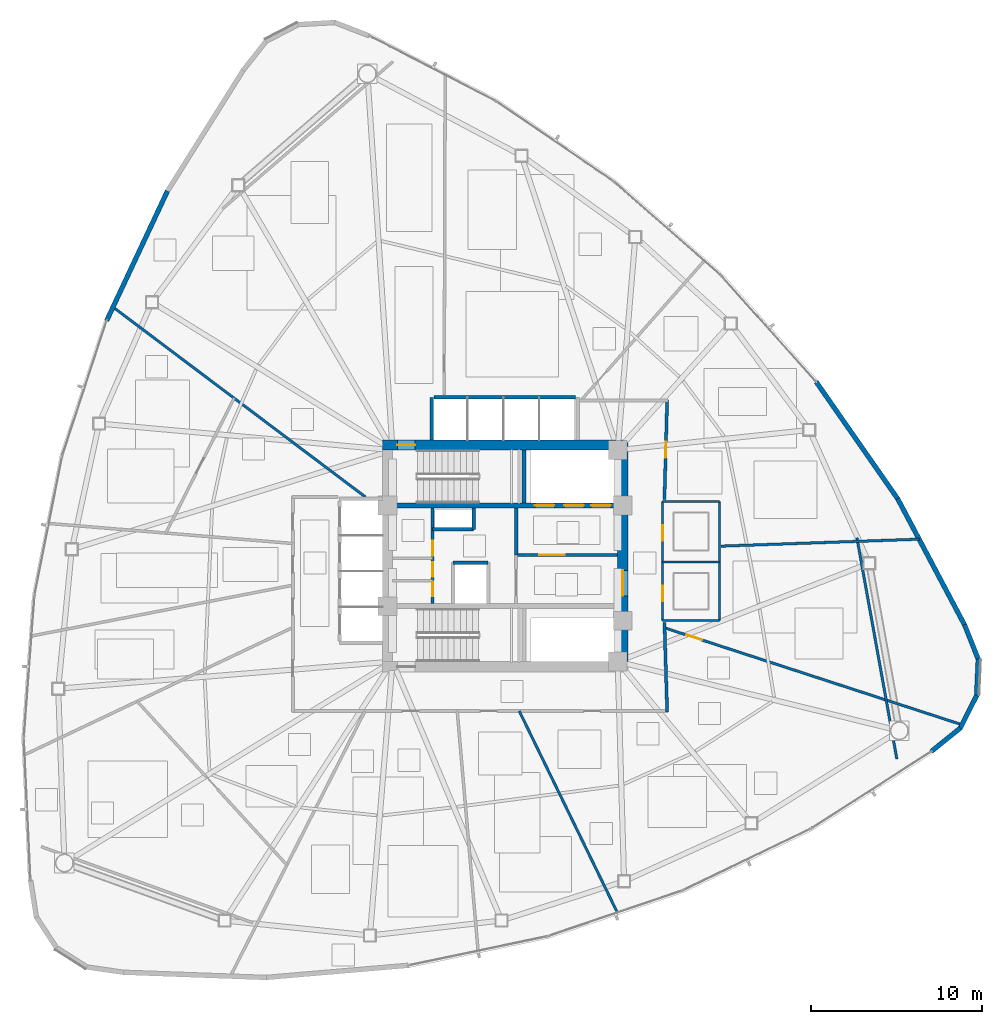
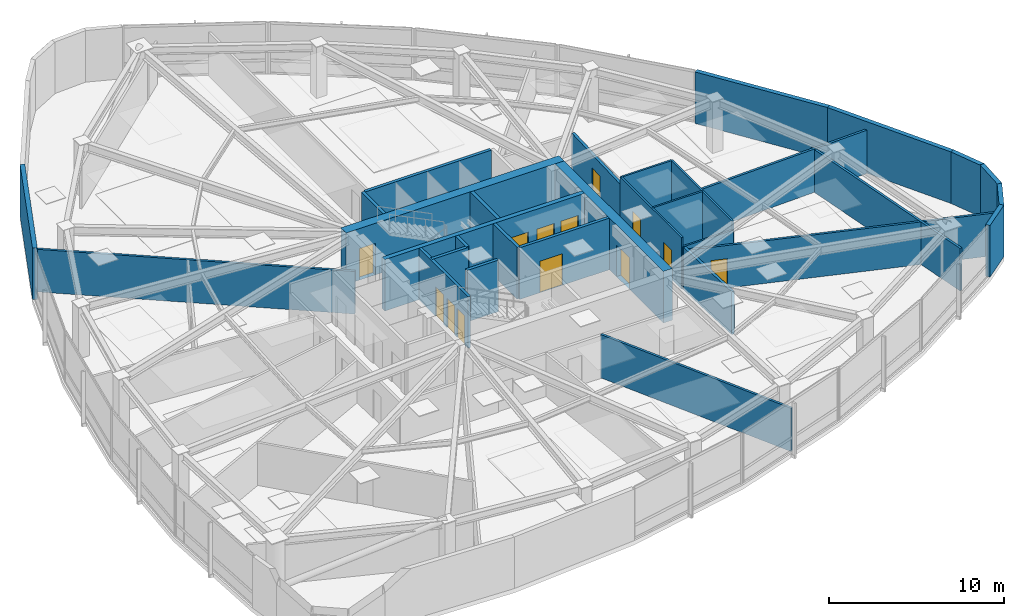
# One storey, part 12 of 17: 31 walls, 13 doors, 13 openings.
"""IFC4 building model written with IfcOpenShell, lengths in metres."""

from ifc_helpers import new_model, si_unit, direction, frame, frame_2d, origin, place, context, subcontext, project, spatial, rectangle, extrude, material, layer, layer_set, type_object, element, fill, save


model = new_model("IFC4")

# Units and contexts
model_context = context("Model", 3, precision=1e-05, world=origin(), true_north=direction((0.0, 1.0)))
body_context = subcontext(model_context, "Body", "Model", "MODEL_VIEW")
ifc_project = project(units=[si_unit("LENGTHUNIT", "METRE"), si_unit("AREAUNIT", "SQUARE_METRE"), si_unit("VOLUMEUNIT", "CUBIC_METRE"), si_unit("PLANEANGLEUNIT", "RADIAN"), si_unit("MASSUNIT", "GRAM", prefix="KILO")], contexts=[model_context])

# Site, building, storey
site_placement = place(None, origin())
site = spatial("IfcSite", under=ifc_project, at=site_placement, CompositionType="ELEMENT")
building_placement = place(site_placement, origin())
building = spatial("IfcBuilding", under=site, at=building_placement, Name="Tavelor Broadcast Tower", CompositionType="ELEMENT")
storey_placement = place(building_placement, frame((0.0, 0.0, 90.0)))
storey = spatial("IfcBuildingStorey", under=building, at=storey_placement, Name="L21", CompositionType="ELEMENT", Elevation=90.0)

# Wall, opening, door
ifc_material_1 = material(Name="Concrete C60/75", Category="concrete")
ifc_layer_1 = layer(ifc_material_1, 0.60009765625)
ifc_layer_set_1 = layer_set([ifc_layer_1], Name="Concrete C60/75")
wall_type_1 = type_object("IfcWallType", Name="Core Shear Wall 600 mm", PredefinedType="SHEAR", material=ifc_layer_set_1)
wall_1_placement = place(storey_placement, frame((42.800048828125, 51.5, 0.0), z_axis=(0.0, 0.0, 1.0), x_axis=(1.0, 0.0, 0.0)))
wall_1 = element("IfcWall", 1, at=wall_1_placement, inside=storey, type_object=wall_type_1, Name="L21 Central Core Shear Wall N", PredefinedType="SHEAR", context=body_context, shape_type="SweptSolid", body=[
    extrude(rectangle(XDim=14.39990234375, YDim=0.60009765625, at=frame_2d((7.199951171875, 0.0))), origin(), (0.0, 0.0, 1.0), 3.60009765625),
])
opening_1_placement = place(wall_1_placement, frame((0.8798828125, 0.0, 0.0)))
opening_1 = element("IfcOpeningElement", 2, at=opening_1_placement, cuts=wall_1, Name="Opening DR11", PredefinedType="OPENING", context=body_context, shape_type="SweptSolid", body=[
    extrude(rectangle(XDim=1.050048828125, YDim=2.199951171875, at=frame_2d((0.52490234375, 1.10009765625))), frame((0.0, 0.31005859375, 0.0), z_axis=(0.0, -1.0, 0.0), x_axis=(1.0, 0.0, 0.0)), (0.0, 0.0, 1.0), 0.6201171875),
])
ifc_material_2 = material(Name="Steel S355", Category="steel")
door_type_1 = type_object("IfcDoorType", Name="Stair Core Fire Escape Door 1050x2200", OperationType="NOTDEFINED", PredefinedType="DOOR", material=ifc_material_2)
door_1_placement = place(opening_1_placement, origin())
door_1 = element("IfcDoor", 3, at=door_1_placement, inside=storey, type_object=door_type_1, Name="L21 Stair ST1 Protected Exit Door", OperationType="SINGLE_SWING_LEFT", OverallHeight=2.199951171875, OverallWidth=1.050048828125, PredefinedType="DOOR", context=body_context, shape_type="SweptSolid", body=[
    extrude(rectangle(XDim=1.050048828125, YDim=2.199951171875, at=frame_2d((0.52490234375, 1.10009765625))), frame((0.0, 0.02490234375, 0.0), z_axis=(0.0, -1.0, 0.0), x_axis=(1.0, 0.0, 0.0)), (0.0, 0.0, 1.0), 0.050048828125),
])
fill(opening_1, door_1)

wall_2_placement = place(storey_placement, frame((56.89990234375, 38.800048828125, 0.0), z_axis=(0.0, 0.0, 1.0), x_axis=(0.0, 1.0, 0.0)))
wall_2 = element("IfcWall", 4, at=wall_2_placement, inside=storey, type_object=wall_type_1, Name="L21 Central Core Shear Wall E", PredefinedType="SHEAR", context=body_context, shape_type="SweptSolid", body=[
    extrude(rectangle(XDim=12.39990234375, YDim=0.60009765625, at=frame_2d((6.199951171875, 0.0))), origin(), (0.0, 0.0, 1.0), 3.60009765625),
])
opening_2_placement = place(wall_2_placement, frame((3.85009765625, 0.0, 0.0)))
opening_2 = element("IfcOpeningElement", 5, at=opening_2_placement, cuts=wall_2, Name="Opening DR14", PredefinedType="OPENING", context=body_context, shape_type="SweptSolid", body=[
    extrude(rectangle(XDim=1.5, YDim=2.199951171875, at=frame_2d((0.75, 1.10009765625))), frame((0.0, 0.31005859375, 0.0), z_axis=(0.0, -1.0, 0.0), x_axis=(1.0, 0.0, 0.0)), (0.0, 0.0, 1.0), 0.6201171875),
])
door_type_2 = type_object("IfcDoorType", Name="Firefighting Lobby Double Fire Door 1500x2200", OperationType="NOTDEFINED", PredefinedType="DOOR", material=ifc_material_2)
door_2_placement = place(opening_2_placement, origin())
door_2 = element("IfcDoor", 6, at=door_2_placement, inside=storey, type_object=door_type_2, Name="L21 Central Core Lobby Fire Door", OperationType="SINGLE_SWING_LEFT", OverallHeight=2.199951171875, OverallWidth=1.5, PredefinedType="DOOR", context=body_context, shape_type="SweptSolid", body=[
    extrude(rectangle(XDim=1.5, YDim=2.199951171875, at=frame_2d((0.75, 1.10009765625))), frame((0.0, 0.02490234375, 0.0), z_axis=(0.0, -1.0, 0.0), x_axis=(1.0, 0.0, 0.0)), (0.0, 0.0, 1.0), 0.050048828125),
])
fill(opening_2, door_2)

# Wall, openings, doors
ifc_layer_2 = layer(ifc_material_1, 0.300048828125)
ifc_layer_set_2 = layer_set([ifc_layer_2], Name="Concrete C60/75")
wall_type_2 = type_object("IfcWallType", Name="Core Spine Shear Wall 300 mm C60", PredefinedType="SHEAR", material=ifc_layer_set_2)
wall_3_placement = place(storey_placement, frame((43.39990234375, 47.949951171875, 0.0), z_axis=(0.0, 0.0, 1.0), x_axis=(1.0, 0.0, 0.0)))
wall_3 = element("IfcWall", 7, at=wall_3_placement, inside=storey, type_object=wall_type_2, Name="L21 Central Core Shear Wall SP1", PredefinedType="SHEAR", context=body_context, shape_type="SweptSolid", body=[
    extrude(rectangle(XDim=13.2001953125, YDim=0.300048828125, at=frame_2d((6.60009765625, 0.0))), origin(), (0.0, 0.0, 1.0), 3.60009765625),
])
opening_3_placement = place(wall_3_placement, frame((8.344970703125, 0.0, 0.0)))
opening_3 = element("IfcOpeningElement", 8, at=opening_3_placement, cuts=wall_3, Name="Opening LD02", PredefinedType="OPENING", context=body_context, shape_type="SweptSolid", body=[
    extrude(rectangle(XDim=1.14990234375, YDim=2.199951171875, at=frame_2d((0.574951171875, 1.10009765625))), frame((0.0, 0.16015625, 0.0), z_axis=(0.0, -1.0, 0.0), x_axis=(1.0, 0.0, 0.0)), (0.0, 0.0, 1.0), 0.320068359375),
])
opening_4_placement = place(wall_3_placement, frame((10.06494140625, 0.0, 0.0)))
opening_4 = element("IfcOpeningElement", 9, at=opening_4_placement, cuts=wall_3, Name="Opening LD02", PredefinedType="OPENING", context=body_context, shape_type="SweptSolid", body=[
    extrude(rectangle(XDim=1.14990234375, YDim=2.199951171875, at=frame_2d((0.574951171875, 1.10009765625))), frame((0.0, 0.16015625, 0.0), z_axis=(0.0, -1.0, 0.0), x_axis=(1.0, 0.0, 0.0)), (0.0, 0.0, 1.0), 0.320068359375),
])
opening_5_placement = place(wall_3_placement, frame((11.64501953125, 0.0, 0.0)))
opening_5 = element("IfcOpeningElement", 10, at=opening_5_placement, cuts=wall_3, Name="Opening LD03", PredefinedType="OPENING", context=body_context, shape_type="SweptSolid", body=[
    extrude(rectangle(XDim=1.14990234375, YDim=2.199951171875, at=frame_2d((0.574951171875, 1.10009765625))), frame((0.0, 0.16015625, 0.0), z_axis=(0.0, -1.0, 0.0), x_axis=(1.0, 0.0, 0.0)), (0.0, 0.0, 1.0), 0.320068359375),
])
ifc_material_3 = material(Name="Reinforced Brushed Stainless Steel", Category="concrete")
door_type_3 = type_object("IfcDoorType", Name="Broadcast Goods Lift Sliding Landing Door 1250x2200", OperationType="NOTDEFINED", PredefinedType="DOOR", material=ifc_material_3)
door_3_placement = place(opening_5_placement, origin())
door_3 = element("IfcDoor", 11, at=door_3_placement, inside=storey, type_object=door_type_3, Name="L21 Lift SVL1 Sliding Landing Door", OperationType="SLIDING_TO_LEFT", OverallHeight=2.199951171875, OverallWidth=1.14990234375, PredefinedType="DOOR", context=body_context, shape_type="SweptSolid", body=[
    extrude(rectangle(XDim=1.14990234375, YDim=2.199951171875, at=frame_2d((0.574951171875, 1.10009765625))), frame((0.0, 0.02490234375, 0.0), z_axis=(0.0, -1.0, 0.0), x_axis=(1.0, 0.0, 0.0)), (0.0, 0.0, 1.0), 0.050048828125),
])
fill(opening_5, door_3)
ifc_material_4 = material(Name="Fire-Rated Stainless Steel", Category="steel")
door_type_4 = type_object("IfcDoorType", Name="Firefighting Lift Sliding Landing Door 1200x2200", OperationType="NOTDEFINED", PredefinedType="DOOR", material=ifc_material_4)
door_4_placement = place(opening_3_placement, origin())
door_4 = element("IfcDoor", 12, at=door_4_placement, inside=storey, type_object=door_type_4, Name="L21 Lift FFL1 Sliding Landing Door", OperationType="SLIDING_TO_LEFT", OverallHeight=2.199951171875, OverallWidth=1.14990234375, PredefinedType="DOOR", context=body_context, shape_type="SweptSolid", body=[
    extrude(rectangle(XDim=1.14990234375, YDim=2.199951171875, at=frame_2d((0.574951171875, 1.10009765625))), frame((0.0, 0.02490234375, 0.0), z_axis=(0.0, -1.0, 0.0), x_axis=(1.0, 0.0, 0.0)), (0.0, 0.0, 1.0), 0.050048828125),
])
fill(opening_3, door_4)
door_5_placement = place(opening_4_placement, origin())
door_5 = element("IfcDoor", 13, at=door_5_placement, inside=storey, type_object=door_type_4, Name="L21 Lift FFL2 Sliding Landing Door", OperationType="SLIDING_TO_LEFT", OverallHeight=2.199951171875, OverallWidth=1.14990234375, PredefinedType="DOOR", context=body_context, shape_type="SweptSolid", body=[
    extrude(rectangle(XDim=1.14990234375, YDim=2.199951171875, at=frame_2d((0.574951171875, 1.10009765625))), frame((0.0, 0.02490234375, 0.0), z_axis=(0.0, -1.0, 0.0), x_axis=(1.0, 0.0, 0.0)), (0.0, 0.0, 1.0), 0.050048828125),
])
fill(opening_4, door_5)

ifc_material_5 = material(Name="Calcium Silicate Fire Board 180 mm", Category="gypsum")
ifc_layer_3 = layer(ifc_material_5, 0.179931640625)
ifc_layer_set_3 = layer_set([ifc_layer_3], Name="Calcium Silicate Fire Board 180 mm")
wall_type_3 = type_object("IfcWallType", Name="Fire-Rated Corridor Partition Wall 180 mm", PredefinedType="PARTITIONING", material=ifc_layer_set_3)
wall_4_placement = place(storey_placement, frame((45.75, 42.199951171875, 0.0), z_axis=(0.0, 0.0, 1.0), x_axis=(0.0, 1.0, 0.0)))
wall_4 = element("IfcWall", 14, at=wall_4_placement, inside=storey, type_object=wall_type_3, Name="L21 Core West Service East Wall", PredefinedType="PARTITIONING", context=body_context, shape_type="SweptSolid", body=[
    extrude(rectangle(XDim=5.60009765625, YDim=0.179931640625, at=frame_2d((2.800048828125, 0.0))), origin(), (0.0, 0.0, 1.0), 3.60009765625),
])
opening_6_placement = place(wall_4_placement, frame((0.419921875, 0.0, 0.0)))
opening_6 = element("IfcOpeningElement", 15, at=opening_6_placement, cuts=wall_4, Name="Opening DR36", PredefinedType="OPENING", context=body_context, shape_type="SweptSolid", body=[
    extrude(rectangle(XDim=0.85009765625, YDim=2.050048828125, at=frame_2d((0.425048828125, 1.02490234375))), frame((0.0, 0.10009765625, 0.0), z_axis=(0.0, -1.0, 0.0), x_axis=(1.0, 0.0, 0.0)), (0.0, 0.0, 1.0), 0.199951171875),
])
opening_7_placement = place(wall_4_placement, frame((1.570068359375, 0.0, 0.0)))
opening_7 = element("IfcOpeningElement", 16, at=opening_7_placement, cuts=wall_4, Name="Opening DR36", PredefinedType="OPENING", context=body_context, shape_type="SweptSolid", body=[
    extrude(rectangle(XDim=0.85009765625, YDim=2.050048828125, at=frame_2d((0.425048828125, 1.02490234375))), frame((0.0, 0.10009765625, 0.0), z_axis=(0.0, -1.0, 0.0), x_axis=(1.0, 0.0, 0.0)), (0.0, 0.0, 1.0), 0.199951171875),
])
opening_8_placement = place(wall_4_placement, frame((2.800048828125, 0.0, 0.0)))
opening_8 = element("IfcOpeningElement", 17, at=opening_8_placement, cuts=wall_4, Name="Opening DR32", PredefinedType="OPENING", context=body_context, shape_type="SweptSolid", body=[
    extrude(rectangle(XDim=0.89990234375, YDim=2.050048828125, at=frame_2d((0.449951171875, 1.02490234375))), frame((0.0, 0.10009765625, 0.0), z_axis=(0.0, -1.0, 0.0), x_axis=(1.0, 0.0, 0.0)), (0.0, 0.0, 1.0), 0.199951171875),
])
ifc_material_6 = material(Name="Timber Solid Core Hardwood", Category="wood")
door_type_5 = type_object("IfcDoorType", Name="Accessible Washroom Door 900x2050", OperationType="NOTDEFINED", PredefinedType="DOOR", material=ifc_material_6)
door_6_placement = place(opening_8_placement, origin())
door_6 = element("IfcDoor", 18, at=door_6_placement, inside=storey, type_object=door_type_5, Name="L21 Core Accessible WC Door", OperationType="SINGLE_SWING_LEFT", OverallHeight=2.050048828125, OverallWidth=0.89990234375, PredefinedType="DOOR", context=body_context, shape_type="SweptSolid", body=[
    extrude(rectangle(XDim=0.89990234375, YDim=2.050048828125, at=frame_2d((0.449951171875, 1.02490234375))), frame((0.0, 0.02490234375, 0.0), z_axis=(0.0, -1.0, 0.0), x_axis=(1.0, 0.0, 0.0)), (0.0, 0.0, 1.0), 0.050048828125),
])
fill(opening_8, door_6)
door_type_6 = type_object("IfcDoorType", Name="Service Room Fire Door 850x2050", OperationType="NOTDEFINED", PredefinedType="DOOR", material=ifc_material_2)
door_7_placement = place(opening_6_placement, origin())
door_7 = element("IfcDoor", 19, at=door_7_placement, inside=storey, type_object=door_type_6, Name="L21 Core Medical Room Door", OperationType="SINGLE_SWING_LEFT", OverallHeight=2.050048828125, OverallWidth=0.85009765625, PredefinedType="DOOR", context=body_context, shape_type="SweptSolid", body=[
    extrude(rectangle(XDim=0.85009765625, YDim=2.050048828125, at=frame_2d((0.425048828125, 1.02490234375))), frame((0.0, 0.02490234375, 0.0), z_axis=(0.0, -1.0, 0.0), x_axis=(1.0, 0.0, 0.0)), (0.0, 0.0, 1.0), 0.050048828125),
])
fill(opening_6, door_7)
door_8_placement = place(opening_7_placement, origin())
door_8 = element("IfcDoor", 20, at=door_8_placement, inside=storey, type_object=door_type_6, Name="L21 Core Copy Room Door", OperationType="SINGLE_SWING_RIGHT", OverallHeight=2.050048828125, OverallWidth=0.85009765625, PredefinedType="DOOR", context=body_context, shape_type="SweptSolid", body=[
    extrude(rectangle(XDim=0.85009765625, YDim=2.050048828125, at=frame_2d((0.425048828125, 1.02490234375))), frame((0.0, 0.02490234375, 0.0), z_axis=(0.0, -1.0, 0.0), x_axis=(1.0, 0.0, 0.0)), (0.0, 0.0, 1.0), 0.050048828125),
])
fill(opening_7, door_8)

# Wall, opening, door
wall_5_placement = place(storey_placement, frame((59.50146484375, 54.14990234375, 0.0), z_axis=(0.0, 0.0, 1.0), x_axis=(-0.027367567602, -0.999625437973, 0.0)))
wall_5 = element("IfcWall", 21, at=wall_5_placement, inside=storey, type_object=wall_type_3, Name="L21 Corridor Compartment Wall 02", PredefinedType="PARTITIONING", context=body_context, shape_type="SweptSolid", body=[
    extrude(rectangle(XDim=5.85205078125, YDim=0.179931640625, at=frame_2d((2.926025390625, 0.0))), origin(), (0.0, 0.0, 1.0), 2.97509765625),
])
opening_9_placement = place(wall_5_placement, frame((2.451171875, 0.0, 0.0)))
opening_9 = element("IfcOpeningElement", 22, at=opening_9_placement, cuts=wall_5, Name="Opening DR18", PredefinedType="OPENING", context=body_context, shape_type="SweptSolid", body=[
    extrude(rectangle(XDim=0.949951171875, YDim=2.050048828125, at=frame_2d((0.47509765625, 1.02490234375))), frame((0.0, 0.10009765625, 0.0), z_axis=(0.0, -1.0, 0.0), x_axis=(1.0, 0.0, 0.0)), (0.0, 0.0, 1.0), 0.199951171875),
])
door_type_7 = type_object("IfcDoorType", Name="Corridor Rated Compartment Door 950x2050", OperationType="NOTDEFINED", PredefinedType="DOOR", material=ifc_material_6)
door_9_placement = place(opening_9_placement, origin())
door_9 = element("IfcDoor", 23, at=door_9_placement, inside=storey, type_object=door_type_7, Name="L21 International Bureau Office Door R9", OperationType="SINGLE_SWING_RIGHT", OverallHeight=2.050048828125, OverallWidth=0.949951171875, PredefinedType="DOOR", context=body_context, shape_type="SweptSolid", body=[
    extrude(rectangle(XDim=0.949951171875, YDim=2.050048828125, at=frame_2d((0.47509765625, 1.02490234375))), frame((0.0, 0.02490234375, 0.0), z_axis=(0.0, -1.0, 0.0), x_axis=(1.0, 0.0, 0.0)), (0.0, 0.0, 1.0), 0.050048828125),
])
fill(opening_9, door_9)

# Walls
wall_6_placement = place(storey_placement, frame((59.341552734375, 41.10009765625, 0.0), z_axis=(0.0, 0.0, 1.0), x_axis=(0.030445329425, -0.999536433511, 0.0)))
element("IfcWall", 24, at=wall_6_placement, inside=storey, type_object=wall_type_3, Name="L21 Corridor Compartment Wall 03", PredefinedType="PARTITIONING", context=body_context, shape_type="SweptSolid", body=[
    extrude(rectangle(XDim=5.25244140625, YDim=0.179931640625, at=frame_2d((2.626220703125, 0.0))), origin(), (0.0, 0.0, 1.0), 2.97509765625),
])
ifc_material_7 = material(Name="Precast Concrete C40/50", Category="concrete")
ifc_layer_4 = layer(ifc_material_7, 0.280029296875)
ifc_layer_set_4 = layer_set([ifc_layer_4], Name="Precast Concrete C40/50")
wall_type_4 = type_object("IfcWallType", Name="Insulated Precast Terracotta Facade Wall 280 mm", PredefinedType="STANDARD", material=ifc_layer_set_4)
wall_7_placement = place(storey_placement, frame((30.198974609375, 66.400634765625, 0.0), z_axis=(0.0, 0.0, 1.0), x_axis=(-0.424600265848, -0.905380922177, 0.0)))
element("IfcWall", 25, at=wall_7_placement, inside=storey, type_object=wall_type_4, Name="L21 Rounded Corner Structural Cladding Pier 06", PredefinedType="STANDARD", context=body_context, shape_type="SweptSolid", body=[
    extrude(rectangle(XDim=8.3828125, YDim=0.280029296875, at=frame_2d((4.19140625, 0.0))), origin(), (0.0, 0.0, 1.0), 3.60009765625),
])
wall_8_placement = place(storey_placement, frame((74.993408203125, 33.53125, 0.0), z_axis=(0.0, 0.0, 1.0), x_axis=(0.778802470477, 0.627269249987, 0.0)))
element("IfcWall", 26, at=wall_8_placement, inside=storey, type_object=wall_type_4, Name="L21 Rounded Corner Structural Cladding Pier 21", PredefinedType="STANDARD", context=body_context, shape_type="SweptSolid", body=[
    extrude(rectangle(XDim=2.18310546875, YDim=0.280029296875, at=frame_2d((1.091552734375, 0.0))), origin(), (0.0, 0.0, 1.0), 3.60009765625),
])
wall_9_placement = place(storey_placement, frame((76.67529296875, 34.877685546875, 0.0), z_axis=(0.0, 0.0, 1.0), x_axis=(0.451615266142, 0.892212783694, 0.0)))
element("IfcWall", 27, at=wall_9_placement, inside=storey, type_object=wall_type_4, Name="L21 Rounded Corner Structural Cladding Pier 22", PredefinedType="STANDARD", context=body_context, shape_type="SweptSolid", body=[
    extrude(rectangle(XDim=2.171630859375, YDim=0.280029296875, at=frame_2d((1.0859375, 0.0))), origin(), (0.0, 0.0, 1.0), 3.60009765625),
])
wall_10_placement = place(storey_placement, frame((77.648681640625, 36.787109375, 0.0), z_axis=(0.0, 0.0, 1.0), x_axis=(0.044525297674, 0.999008257157, 0.0)))
element("IfcWall", 28, at=wall_10_placement, inside=storey, type_object=wall_type_4, Name="L21 Rounded Corner Structural Cladding Pier 23", PredefinedType="STANDARD", context=body_context, shape_type="SweptSolid", body=[
    extrude(rectangle(XDim=2.17138671875, YDim=0.280029296875, at=frame_2d((1.085693359375, 0.0))), origin(), (0.0, 0.0, 1.0), 3.60009765625),
])
wall_11_placement = place(storey_placement, frame((77.750244140625, 38.927490234375, 0.0), z_axis=(0.0, 0.0, 1.0), x_axis=(-0.370642356931, 0.928775668958, 0.0)))
element("IfcWall", 29, at=wall_11_placement, inside=storey, type_object=wall_type_4, Name="L21 Rounded Corner Structural Cladding Pier 24", PredefinedType="STANDARD", context=body_context, shape_type="SweptSolid", body=[
    extrude(rectangle(XDim=2.194091796875, YDim=0.280029296875, at=frame_2d((1.09716796875, 0.0))), origin(), (0.0, 0.0, 1.0), 3.60009765625),
])
wall_12_placement = place(storey_placement, frame((76.94970703125, 40.938232421875, 0.0), z_axis=(0.0, 0.0, 1.0), x_axis=(-0.468283192843, 0.883578435285, 0.0)))
element("IfcWall", 30, at=wall_12_placement, inside=storey, type_object=wall_type_4, Name="L21 Rounded Corner Structural Cladding Pier 25", PredefinedType="STANDARD", context=body_context, shape_type="SweptSolid", body=[
    extrude(rectangle(XDim=8.394775390625, YDim=0.280029296875, at=frame_2d((4.197265625, 0.0))), origin(), (0.0, 0.0, 1.0), 3.60009765625),
])
wall_13_placement = place(storey_placement, frame((73.0341796875, 48.330078125, 0.0), z_axis=(0.0, 0.0, 1.0), x_axis=(-0.571780187869, 0.820406860503, 0.0)))
element("IfcWall", 31, at=wall_13_placement, inside=storey, type_object=wall_type_4, Name="L21 Rounded Corner Structural Cladding Pier 26", PredefinedType="STANDARD", context=body_context, shape_type="SweptSolid", body=[
    extrude(rectangle(XDim=8.383056640625, YDim=0.280029296875, at=frame_2d((4.19140625, 0.0))), origin(), (0.0, 0.0, 1.0), 3.60009765625),
])
ifc_material_8 = material(Name="Gypsum Acoustic Plasterboard 150 mm", Category="gypsum")
ifc_layer_5 = layer(ifc_material_8, 0.14990234375)
ifc_layer_set_5 = layer_set([ifc_layer_5], Name="Gypsum Acoustic Plasterboard 150 mm")
wall_type_5 = type_object("IfcWallType", Name="Interior Acoustic Partition Wall 150 mm", PredefinedType="PARTITIONING", material=ifc_layer_set_5)
wall_14_placement = place(storey_placement, frame((72.96923828125, 33.09130859375, 0.0), z_axis=(0.0, 0.0, 1.0), x_axis=(-0.177742578179, 0.984077017261, 0.0)))
element("IfcWall", 32, at=wall_14_placement, inside=storey, type_object=wall_type_5, Name="L21 Corner Tube Brace Furring Wall 3", PredefinedType="PARTITIONING", context=body_context, shape_type="SweptSolid", body=[
    extrude(rectangle(XDim=13.179443359375, YDim=0.14990234375, at=frame_2d((6.58984375, 0.0))), origin(), (0.0, 0.0, 1.0), 2.97509765625),
])
wall_15_placement = place(storey_placement, frame((50.828857421875, 35.89990234375, 0.0), z_axis=(0.0, 0.0, 1.0), x_axis=(0.437603224416, -0.899168181144, 0.0)))
element("IfcWall", 33, at=wall_15_placement, inside=storey, type_object=wall_type_5, Name="L21 Radial Compartment Wall 05", PredefinedType="PARTITIONING", context=body_context, shape_type="SweptSolid", body=[
    extrude(rectangle(XDim=13.15380859375, YDim=0.14990234375, at=frame_2d((6.576904296875, 0.0))), origin(), (0.0, 0.0, 1.0), 3.02490234375),
])

# Wall, opening, door
wall_16_placement = place(storey_placement, frame((59.351318359375, 40.779296875, 0.0), z_axis=(0.0, 0.0, 1.0), x_axis=(0.9507843067, -0.309853517219, 0.0)))
wall_16 = element("IfcWall", 34, at=wall_16_placement, inside=storey, type_object=wall_type_5, Name="L21 Radial Compartment Wall 06", PredefinedType="PARTITIONING", context=body_context, shape_type="SweptSolid", body=[
    extrude(rectangle(XDim=18.34765625, YDim=0.14990234375, at=frame_2d((9.173828125, 0.0))), origin(), (0.0, 0.0, 1.0), 2.97509765625),
])
opening_10_placement = place(wall_16_placement, frame((1.35009765625, 0.0, 0.0)))
opening_10 = element("IfcOpeningElement", 35, at=opening_10_placement, cuts=wall_16, Name="Opening DR18", PredefinedType="OPENING", context=body_context, shape_type="SweptSolid", body=[
    extrude(rectangle(XDim=0.949951171875, YDim=2.050048828125, at=frame_2d((0.47509765625, 1.02490234375))), frame((0.0, 0.0849609375, 0.0), z_axis=(0.0, -1.0, 0.0), x_axis=(1.0, 0.0, 0.0)), (0.0, 0.0, 1.0), 0.169921875),
])
door_10_placement = place(opening_10_placement, origin())
door_10 = element("IfcDoor", 36, at=door_10_placement, inside=storey, type_object=door_type_7, Name="L21 Suite Connecting Door 10", OperationType="SINGLE_SWING_LEFT", OverallHeight=2.050048828125, OverallWidth=0.949951171875, PredefinedType="DOOR", context=body_context, shape_type="SweptSolid", body=[
    extrude(rectangle(XDim=0.949951171875, YDim=2.050048828125, at=frame_2d((0.47509765625, 1.02490234375))), frame((0.0, 0.02490234375, 0.0), z_axis=(0.0, -1.0, 0.0), x_axis=(1.0, 0.0, 0.0)), (0.0, 0.0, 1.0), 0.050048828125),
])
fill(opening_10, door_10)

# Walls
wall_17_placement = place(storey_placement, frame((62.64990234375, 45.5693359375, 0.0), z_axis=(0.0, 0.0, 1.0), x_axis=(0.999386423419, 0.035025372041, 0.0)))
element("IfcWall", 37, at=wall_17_placement, inside=storey, type_object=wall_type_5, Name="L21 Radial Compartment Wall 07", PredefinedType="PARTITIONING", context=body_context, shape_type="SweptSolid", body=[
    extrude(rectangle(XDim=11.6474609375, YDim=0.14990234375, at=frame_2d((5.82373046875, 0.0))), origin(), (0.0, 0.0, 1.0), 3.02490234375),
])
wall_18_placement = place(storey_placement, frame((41.813720703125, 48.449951171875, 0.0), z_axis=(0.0, 0.0, 1.0), x_axis=(-0.799130111778, 0.601158102706, 0.0)))
element("IfcWall", 38, at=wall_18_placement, inside=storey, type_object=wall_type_5, Name="L21 Radial Compartment Wall 10", PredefinedType="PARTITIONING", context=body_context, shape_type="SweptSolid", body=[
    extrude(rectangle(XDim=18.541259765625, YDim=0.14990234375, at=frame_2d((9.2705078125, 0.0))), origin(), (0.0, 0.0, 1.0), 2.97509765625),
])
ifc_material_9 = material(Name="Concrete Blockwork 200 mm", Category="masonry")
ifc_layer_6 = layer(ifc_material_9, 0.199951171875)
ifc_layer_set_6 = layer_set([ifc_layer_6], Name="Concrete Blockwork 200 mm")
wall_type_6 = type_object("IfcWallType", Name="Lift Hoistway Rated Front Wall 200 mm", PredefinedType="PARTITIONING", material=ifc_layer_set_6)
wall_19_placement = place(storey_placement, frame((45.820068359375, 54.300048828125, 0.0), z_axis=(0.0, 0.0, 1.0), x_axis=(1.0, 0.0, 0.0)))
element("IfcWall", 39, at=wall_19_placement, inside=storey, type_object=wall_type_6, Name="L21 High-Rise Lift Hoistway Front Wall", PredefinedType="PARTITIONING", context=body_context, shape_type="SweptSolid", body=[
    extrude(rectangle(XDim=8.309814453125, YDim=0.199951171875, at=frame_2d((4.15478515625, 0.0))), origin(), (0.0, 0.0, 1.0), 3.60009765625),
])
ifc_layer_7 = layer(ifc_material_9, 0.199951171875)
ifc_layer_set_7 = layer_set([ifc_layer_7], Name="Concrete Blockwork 200 mm")
wall_type_7 = type_object("IfcWallType", Name="Lift and Riser Shaft Enclosure Wall 200 mm", PredefinedType="PARTITIONING", material=ifc_layer_set_7)
wall_20_placement = place(storey_placement, frame((45.699951171875, 51.800048828125, 0.0), z_axis=(0.0, 0.0, 1.0), x_axis=(0.0, 1.0, 0.0)))
element("IfcWall", 40, at=wall_20_placement, inside=storey, type_object=wall_type_7, Name="L21 High-Rise Lift Shaft West Wall", PredefinedType="PARTITIONING", context=body_context, shape_type="SweptSolid", body=[
    extrude(rectangle(XDim=2.5, YDim=0.199951171875, at=frame_2d((1.25, 0.0))), origin(), (0.0, 0.0, 1.0), 3.60009765625),
])
wall_21_placement = place(storey_placement, frame((45.75, 46.550048828125, 0.0), z_axis=(0.0, 0.0, 1.0), x_axis=(1.0, 0.0, 0.0)))
element("IfcWall", 41, at=wall_21_placement, inside=storey, type_object=wall_type_7, Name="L21 Riser Shaft South Wall", PredefinedType="PARTITIONING", context=body_context, shape_type="SweptSolid", body=[
    extrude(rectangle(XDim=2.39990234375, YDim=0.199951171875, at=frame_2d((1.199951171875, 0.0))), origin(), (0.0, 0.0, 1.0), 3.60009765625),
])
wall_22_placement = place(storey_placement, frame((48.14990234375, 46.550048828125, 0.0), z_axis=(0.0, 0.0, 1.0), x_axis=(0.0, 1.0, 0.0)))
element("IfcWall", 42, at=wall_22_placement, inside=storey, type_object=wall_type_7, Name="L21 Riser Shaft East Wall", PredefinedType="PARTITIONING", context=body_context, shape_type="SweptSolid", body=[
    extrude(rectangle(XDim=1.25, YDim=0.199951171875, at=frame_2d((0.625, 0.0))), origin(), (0.0, 0.0, 1.0), 3.60009765625),
])
wall_23_placement = place(storey_placement, frame((46.949951171875, 44.60009765625, 0.0), z_axis=(0.0, 0.0, 1.0), x_axis=(1.0, 0.0, 0.0)))
element("IfcWall", 43, at=wall_23_placement, inside=storey, type_object=wall_type_7, Name="L21 Mid-Rise Lift PLM4 North Wall", PredefinedType="PARTITIONING", context=body_context, shape_type="SweptSolid", body=[
    extrude(rectangle(XDim=2.050048828125, YDim=0.199951171875, at=frame_2d((1.02490234375, 0.0))), origin(), (0.0, 0.0, 1.0), 3.60009765625),
])

# Wall, opening, door
wall_24_placement = place(storey_placement, frame((50.64990234375, 45.050048828125, 0.0), z_axis=(0.0, 0.0, 1.0), x_axis=(1.0, 0.0, 0.0)))
wall_24 = element("IfcWall", 44, at=wall_24_placement, inside=storey, type_object=wall_type_7, Name="L21 Firefighting Lobby South Wall", PredefinedType="PARTITIONING", context=body_context, shape_type="SweptSolid", body=[
    extrude(rectangle(XDim=5.9501953125, YDim=0.199951171875, at=frame_2d((2.97509765625, 0.0))), origin(), (0.0, 0.0, 1.0), 3.60009765625),
])
opening_11_placement = place(wall_24_placement, frame((1.35009765625, 0.0, 0.0)))
opening_11 = element("IfcOpeningElement", 45, at=opening_11_placement, cuts=wall_24, Name="Opening DR14", PredefinedType="OPENING", context=body_context, shape_type="SweptSolid", body=[
    extrude(rectangle(XDim=1.5, YDim=2.199951171875, at=frame_2d((0.75, 1.10009765625))), frame((0.0, 0.10986328125, 0.0), z_axis=(0.0, -1.0, 0.0), x_axis=(1.0, 0.0, 0.0)), (0.0, 0.0, 1.0), 0.219970703125),
])
door_11_placement = place(opening_11_placement, origin())
door_11 = element("IfcDoor", 46, at=door_11_placement, inside=storey, type_object=door_type_2, Name="L21 Firefighting Lobby Compartment Door", OperationType="SINGLE_SWING_RIGHT", OverallHeight=2.199951171875, OverallWidth=1.5, PredefinedType="DOOR", context=body_context, shape_type="SweptSolid", body=[
    extrude(rectangle(XDim=1.5, YDim=2.199951171875, at=frame_2d((0.75, 1.10009765625))), frame((0.0, 0.02490234375, 0.0), z_axis=(0.0, -1.0, 0.0), x_axis=(1.0, 0.0, 0.0)), (0.0, 0.0, 1.0), 0.050048828125),
])
fill(opening_11, door_11)

# Wall
wall_25_placement = place(storey_placement, frame((50.64990234375, 45.050048828125, 0.0), z_axis=(0.0, 0.0, 1.0), x_axis=(0.0, 1.0, 0.0)))
element("IfcWall", 47, at=wall_25_placement, inside=storey, type_object=wall_type_7, Name="L21 Firefighting Lobby West Wall", PredefinedType="PARTITIONING", context=body_context, shape_type="SweptSolid", body=[
    extrude(rectangle(XDim=2.75, YDim=0.199951171875, at=frame_2d((1.375, 0.0))), origin(), (0.0, 0.0, 1.0), 3.60009765625),
])

# Wall, openings, doors
ifc_material_10 = material(Name="Moisture-Resistant Plasterboard 120 mm", Category="gypsum")
ifc_layer_8 = layer(ifc_material_10, 0.1201171875)
ifc_layer_set_8 = layer_set([ifc_layer_8], Name="Moisture-Resistant Plasterboard 120 mm")
wall_type_8 = type_object("IfcWallType", Name="Moisture-Resistant Wet-Room Partition 120 mm", PredefinedType="PARTITIONING", material=ifc_layer_set_8)
wall_26_placement = place(storey_placement, frame((59.239990234375, 41.199951171875, 0.0), z_axis=(0.0, 0.0, 1.0), x_axis=(0.0, 1.0, 0.0)))
wall_26 = element("IfcWall", 48, at=wall_26_placement, inside=storey, type_object=wall_type_8, Name="L21 Floor Washrooms West Wall", PredefinedType="PARTITIONING", context=body_context, shape_type="SweptSolid", body=[
    extrude(rectangle(XDim=7.0, YDim=0.1201171875, at=frame_2d((3.5, 0.0))), origin(), (0.0, 0.0, 1.0), 3.60009765625),
])
opening_12_placement = place(wall_26_placement, frame((1.14990234375, 0.0, 0.0)))
opening_12 = element("IfcOpeningElement", 49, at=opening_12_placement, cuts=wall_26, Name="Opening DR32", PredefinedType="OPENING", context=body_context, shape_type="SweptSolid", body=[
    extrude(rectangle(XDim=0.89990234375, YDim=2.050048828125, at=frame_2d((0.449951171875, 1.02490234375))), frame((0.0, 0.070068359375, 0.0), z_axis=(0.0, -1.0, 0.0), x_axis=(1.0, 0.0, 0.0)), (0.0, 0.0, 1.0), 0.14013671875),
])
opening_13_placement = place(wall_26_placement, frame((4.699951171875, 0.0, 0.0)))
opening_13 = element("IfcOpeningElement", 50, at=opening_13_placement, cuts=wall_26, Name="Opening DR32", PredefinedType="OPENING", context=body_context, shape_type="SweptSolid", body=[
    extrude(rectangle(XDim=0.89990234375, YDim=2.050048828125, at=frame_2d((0.449951171875, 1.02490234375))), frame((0.0, 0.070068359375, 0.0), z_axis=(0.0, -1.0, 0.0), x_axis=(1.0, 0.0, 0.0)), (0.0, 0.0, 1.0), 0.14013671875),
])
door_12_placement = place(opening_12_placement, origin())
door_12 = element("IfcDoor", 51, at=door_12_placement, inside=storey, type_object=door_type_5, Name="L21 Accessible WC Door", OperationType="SINGLE_SWING_LEFT", OverallHeight=2.050048828125, OverallWidth=0.89990234375, PredefinedType="DOOR", context=body_context, shape_type="SweptSolid", body=[
    extrude(rectangle(XDim=0.89990234375, YDim=2.050048828125, at=frame_2d((0.449951171875, 1.02490234375))), frame((0.0, 0.02490234375, 0.0), z_axis=(0.0, -1.0, 0.0), x_axis=(1.0, 0.0, 0.0)), (0.0, 0.0, 1.0), 0.050048828125),
])
fill(opening_12, door_12)
door_13_placement = place(opening_13_placement, origin())
door_13 = element("IfcDoor", 52, at=door_13_placement, inside=storey, type_object=door_type_5, Name="L21 Staff Washroom WC Door", OperationType="SINGLE_SWING_RIGHT", OverallHeight=2.050048828125, OverallWidth=0.89990234375, PredefinedType="DOOR", context=body_context, shape_type="SweptSolid", body=[
    extrude(rectangle(XDim=0.89990234375, YDim=2.050048828125, at=frame_2d((0.449951171875, 1.02490234375))), frame((0.0, 0.02490234375, 0.0), z_axis=(0.0, -1.0, 0.0), x_axis=(1.0, 0.0, 0.0)), (0.0, 0.0, 1.0), 0.050048828125),
])
fill(opening_13, door_13)

# Walls
wall_27_placement = place(storey_placement, frame((59.239990234375, 41.199951171875, 0.0), z_axis=(0.0, 0.0, 1.0), x_axis=(1.0, 0.0, 0.0)))
element("IfcWall", 53, at=wall_27_placement, inside=storey, type_object=wall_type_8, Name="L21 Floor Washrooms South Wall", PredefinedType="PARTITIONING", context=body_context, shape_type="SweptSolid", body=[
    extrude(rectangle(XDim=3.340087890625, YDim=0.1201171875, at=frame_2d((1.669921875, 0.0))), origin(), (0.0, 0.0, 1.0), 2.97509765625),
])
for number, where, z_axis, x_axis, name in (
    (54, (59.239990234375, 44.64990234375, 0.0), (0.0, 0.0, 1.0), (1.0, 0.0, 0.0), "L21 Floor Washrooms Divider Wall"),
    (55, (59.239990234375, 48.199951171875, 0.0), (0.0, 0.0, 1.0), (1.0, 0.0, 0.0), "L21 Floor Washrooms North Wall"),
):
    element("IfcWall", number, at=place(storey_placement, frame(where, z_axis=z_axis, x_axis=x_axis)), inside=storey, type_object=wall_type_8, Name=name, PredefinedType="PARTITIONING", context=body_context, shape_type="SweptSolid", body=[
        extrude(rectangle(XDim=3.340087890625, YDim=0.1201171875, at=frame_2d((1.669921875, 0.0))), origin(), (0.0, 0.0, 1.0), 3.60009765625),
    ])
wall_28_placement = place(storey_placement, frame((62.580078125, 41.199951171875, 0.0), z_axis=(0.0, 0.0, 1.0), x_axis=(0.0, 1.0, 0.0)))
element("IfcWall", 56, at=wall_28_placement, inside=storey, type_object=wall_type_8, Name="L21 Floor Washrooms East Wall", PredefinedType="PARTITIONING", context=body_context, shape_type="SweptSolid", body=[
    extrude(rectangle(XDim=7.0, YDim=0.1201171875, at=frame_2d((3.5, 0.0))), origin(), (0.0, 0.0, 1.0), 3.60009765625),
])
ifc_material_11 = material(Name="Concrete C40/50", Category="concrete")
ifc_layer_9 = layer(ifc_material_11, 0.219970703125)
ifc_layer_set_9 = layer_set([ifc_layer_9], Name="Concrete C40/50")
wall_type_9 = type_object("IfcWallType", Name="Structural Stairwell Shear Wall 220 mm", PredefinedType="SHEAR", material=ifc_layer_set_9)
wall_29_placement = place(storey_placement, frame((51.110107421875, 48.10009765625, 0.0), z_axis=(0.0, 0.0, 1.0), x_axis=(0.0, 1.0, 0.0)))
element("IfcWall", 57, at=wall_29_placement, inside=storey, type_object=wall_type_9, Name="L21 Stair ST1 Structural Shaft Wall", PredefinedType="SHEAR", context=body_context, shape_type="SweptSolid", body=[
    extrude(rectangle(XDim=3.099853515625, YDim=0.219970703125, at=frame_2d((1.5498046875, 0.0))), origin(), (0.0, 0.0, 1.0), 3.60009765625),
])

save(model, "model.ifc")
